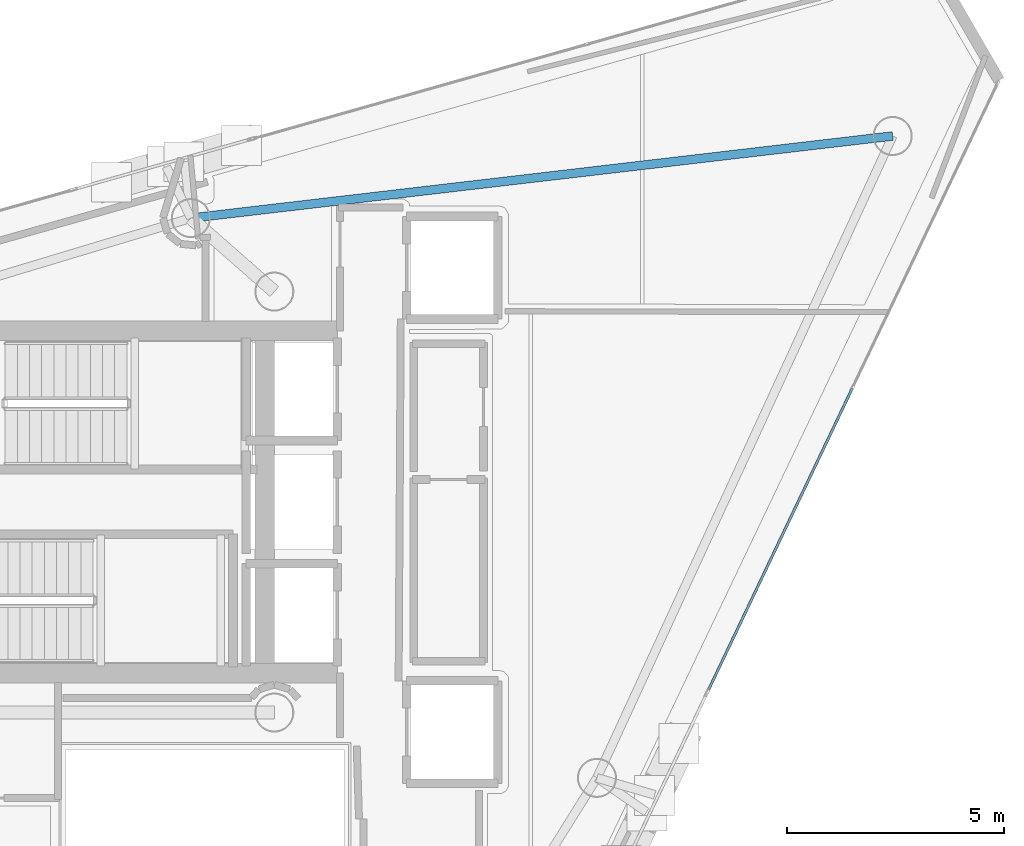
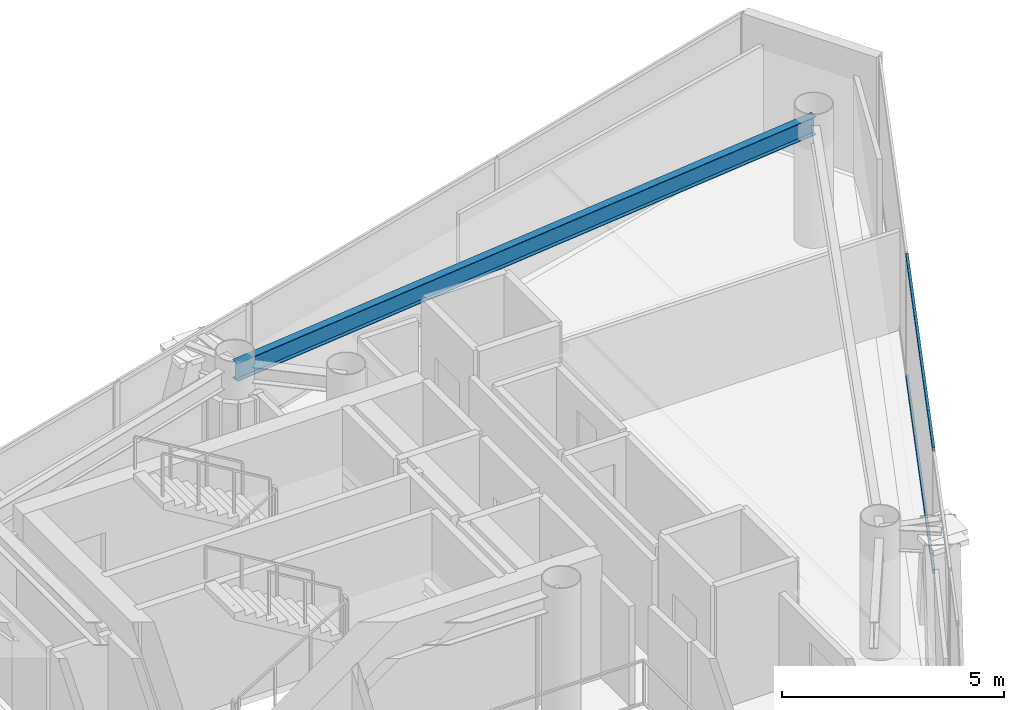
# One storey, part 14 of 20: 2 members, 1 beam, 1 element without a shape of its own.
"""IFC4 building model written with IfcOpenShell, lengths in metres."""

from ifc_helpers import new_model, si_unit, direction, frame, origin, origin_2d, place, context, subcontext, project, spatial, hollow_rectangle, i_section, extrude, material, layer, layer_set, material_profile, profile_set, type_object, element, aggregate, save


model = new_model("IFC4")

# Units and contexts
model_context = context("Model", 3, precision=1e-05, world=origin(), true_north=direction((0.0, 1.0)))
body_context = subcontext(model_context, "Body", "Model", "MODEL_VIEW")
ifc_project = project(units=[si_unit("LENGTHUNIT", "METRE"), si_unit("AREAUNIT", "SQUARE_METRE"), si_unit("VOLUMEUNIT", "CUBIC_METRE"), si_unit("PLANEANGLEUNIT", "RADIAN"), si_unit("MASSUNIT", "GRAM", prefix="KILO")], contexts=[model_context])

# Site, building, storey
site_placement = place(None, origin())
site = spatial("IfcSite", under=ifc_project, at=site_placement, CompositionType="ELEMENT")
building_placement = place(site_placement, origin())
building = spatial("IfcBuilding", under=site, at=building_placement, Name="Qianvela Tower", CompositionType="ELEMENT")
storey_placement = place(building_placement, frame((0.0, 0.0, 317.60009765625)))
storey = spatial("IfcBuildingStorey", under=building, at=storey_placement, Name="L82", CompositionType="ELEMENT", Elevation=317.60009765625)

# Beam
ifc_material_1 = material(Name="Steel Q355B", Category="steel")
ifc_material_profile_1 = material_profile(ifc_material_1, i_section(OverallWidth=0.199951171875, OverallDepth=0.5, WebThickness=0.010009765625, FlangeThickness=0.01611328125, at=origin_2d()), Name="HN500x200x10x16")
ifc_profile_set_1 = profile_set([ifc_material_profile_1], Name="Steel Q355B")
beam_type = type_object("IfcBeamType", Name="BM-HN500-GIRD", PredefinedType="BEAM", material=ifc_profile_set_1)
beam_placement = place(storey_placement, frame((52.64794921875, 37.135009765625, 3.14794921875), z_axis=(-0.993225117092, -0.116206139153, 0.0), x_axis=(0.116206139153, -0.993225117092, 0.0)))
element("IfcBeam", 1, at=beam_placement, inside=storey, type_object=beam_type, Name="L82 Perimeter Ring Spandrel Girder 1", PredefinedType="BEAM", context=body_context, shape_type="SweptSolid", body=[
    extrude(i_section(OverallWidth=0.199951171875, OverallDepth=0.5, WebThickness=0.010009765625, FlangeThickness=0.01611328125, at=origin_2d()), origin(), (0.0, 0.0, 1.0), 16.2822265625),
])

# Curtain wall, members
ifc_material_2 = material(Name="Anodised Architectural Aluminium and Low-E Glass", Category="aluminium")
ifc_layer = layer(ifc_material_2, 0.14990234375)
ifc_layer_set = layer_set([ifc_layer], Name="Anodised Architectural Aluminium and Low-E Glass")
curtain_wall_type = type_object("IfcCurtainWallType", Name="CW-COLIV-Z78", PredefinedType="USERDEFINED", material=ifc_layer_set)
curtain_wall_placement = place(storey_placement, origin())
curtain_wall = element("IfcCurtainWall", 2, at=curtain_wall_placement, inside=storey, type_object=curtain_wall_type, Name="L82 CW-COLIV-Z78 Curtain Wall 06C", ObjectType="CURTAIN_WALL_SYSTEM", PredefinedType="USERDEFINED")
ifc_material_3 = material(Name="Anodised Architectural Aluminium 6063-T6", Category="aluminium")
ifc_material_profile_2 = material_profile(ifc_material_3, hollow_rectangle(XDim=0.06005859375, YDim=0.114990234375, WallThickness=0.00390625, at=origin_2d()), Name="ALU-TRAN-60x115")
ifc_profile_set_2 = profile_set([ifc_material_profile_2], Name="Anodised Architectural Aluminium 6063-T6")
member_type = type_object("IfcMemberType", Name="CW-COLIV-Z78-TRAN", PredefinedType="USERDEFINED", material=ifc_profile_set_2)
member_1_placement = place(storey_placement, frame((48.41015625, 24.380615234375, 0.02978515625), z_axis=(0.430306972241, 0.902682618444, 0.0), x_axis=(-0.902682618444, 0.430306972241, 0.0)))
member_1 = element("IfcMember", 3, at=member_1_placement, type_object=member_type, Name="CW-6 transom 1.1", ObjectType="TRANSOM", PredefinedType="USERDEFINED", context=body_context, shape_type="SweptSolid", body=[
    extrude(hollow_rectangle(XDim=0.06005859375, YDim=0.114990234375, WallThickness=0.00390625, at=origin_2d()), origin(), (0.0, 0.0, 1.0), 7.689453125),
])
member_2_placement = place(storey_placement, frame((48.41015625, 24.380615234375, 3.369873046875), z_axis=(0.430306972241, 0.902682618444, 0.0), x_axis=(-0.902682618444, 0.430306972241, 0.0)))
member_2 = element("IfcMember", 4, at=member_2_placement, type_object=member_type, Name="CW-6 transom 1.2", ObjectType="TRANSOM", PredefinedType="USERDEFINED", context=body_context, shape_type="SweptSolid", body=[
    extrude(hollow_rectangle(XDim=0.06005859375, YDim=0.114990234375, WallThickness=0.00390625, at=origin_2d()), origin(), (0.0, 0.0, 1.0), 7.689453125),
])
aggregate(curtain_wall, [member_1, member_2])

save(model, "model.ifc")
